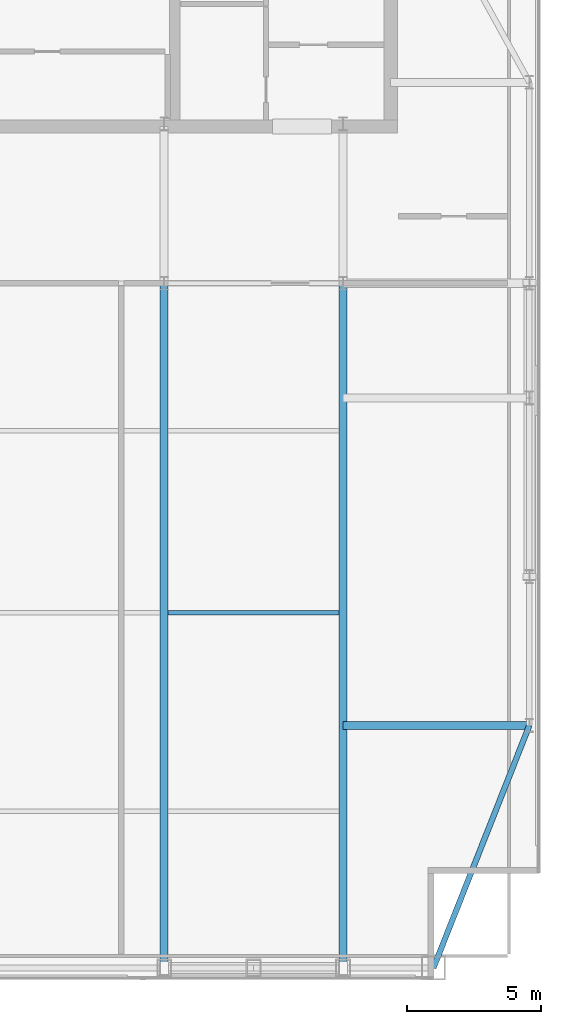
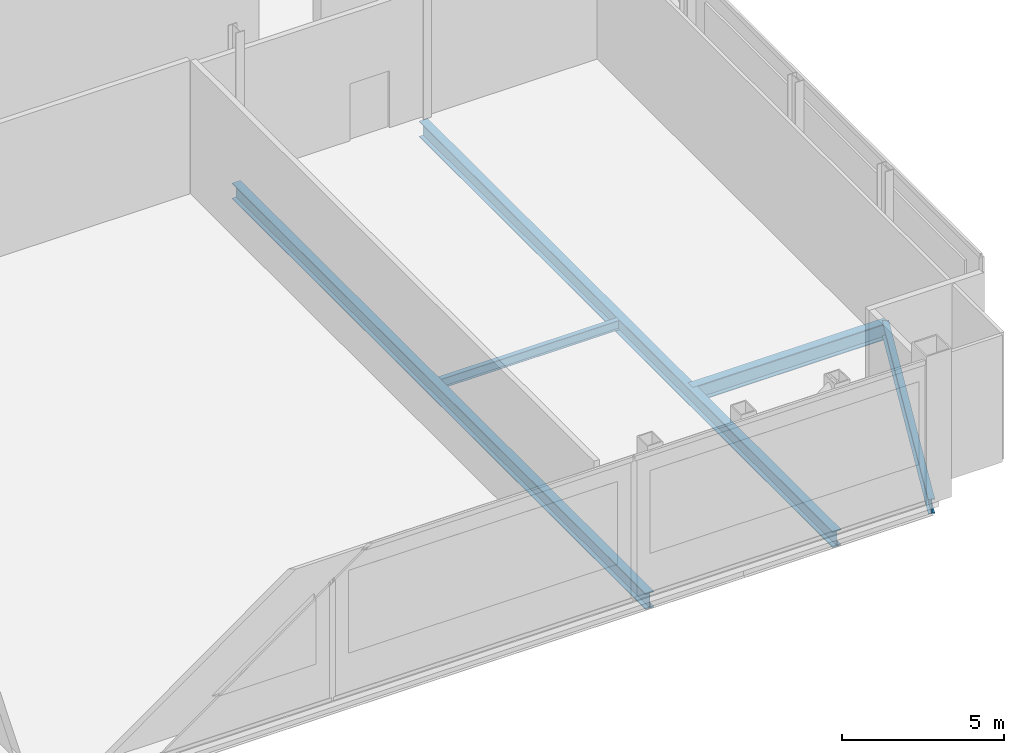
# One storey, part 11 of 22: 5 beams.
"""IFC4 building model written with IfcOpenShell, lengths in metres."""

from ifc_helpers import new_model, si_unit, direction, frame, origin, origin_2d, place, context, subcontext, project, spatial, i_section, extrude, material, material_profile, profile_set, type_object, element, save


model = new_model("IFC4")

# Units and contexts
model_context = context("Model", 3, precision=1e-05, world=origin(), true_north=direction((0.0, 1.0)))
body_context = subcontext(model_context, "Body", "Model", "MODEL_VIEW")
ifc_project = project(units=[si_unit("LENGTHUNIT", "METRE"), si_unit("AREAUNIT", "SQUARE_METRE"), si_unit("VOLUMEUNIT", "CUBIC_METRE"), si_unit("PLANEANGLEUNIT", "RADIAN"), si_unit("MASSUNIT", "GRAM", prefix="KILO")], contexts=[model_context])

# Site, building, storey
site_placement = place(None, origin())
site = spatial("IfcSite", under=ifc_project, at=site_placement, CompositionType="ELEMENT")
building_placement = place(site_placement, origin())
building = spatial("IfcBuilding", under=site, at=building_placement, Name="Khoronbel Lancet Exchange", CompositionType="ELEMENT")
storey_placement = place(building_placement, frame((0.0, 0.0, 367.39990234375)))
storey = spatial("IfcBuildingStorey", under=building, at=storey_placement, Name="L94", CompositionType="ELEMENT", Elevation=367.39990234375)

# Beams
ifc_material = material(Name="Steel S355", Category="steel")
ifc_material_profile_1 = material_profile(ifc_material, i_section(OverallWidth=0.300048828125, OverallDepth=0.60009765625, WebThickness=0.015380859375, FlangeThickness=0.030029296875, at=origin_2d()), Name="HEB 600")
ifc_profile_set_1 = profile_set([ifc_material_profile_1], Name="Steel S355")
beam_type_1 = type_object("IfcBeamType", Name="BM-BG5", PredefinedType="BEAM", material=ifc_profile_set_1)
for number, where, z_axis, x_axis, name in (
    (1, (48.0, 10.14990234375, -0.5), (0.0, 1.0, 0.0), (-1.0, 0.0, 0.0), "Level L94 south primary girder GS5"),
    (2, (54.675048828125, 10.14990234375, -0.5), (0.0, 1.0, 0.0), (-1.0, 0.0, 0.0), "Level L94 south primary girder GS6"),
):
    element("IfcBeam", number, at=place(storey_placement, frame(where, z_axis=z_axis, x_axis=x_axis)), inside=storey, type_object=beam_type_1, Name=name, PredefinedType="BEAM", context=body_context, shape_type="SweptSolid", body=[
        extrude(i_section(OverallWidth=0.300048828125, OverallDepth=0.60009765625, WebThickness=0.015380859375, FlangeThickness=0.030029296875, at=origin_2d()), origin(), (0.0, 0.0, 1.0), 25.550048828125),
    ])
beam_1_placement = place(storey_placement, frame((54.675048828125, 19.199951171875, -0.5), z_axis=(1.0, 0.0, 0.0), x_axis=(0.0, 1.0, 0.0)))
element("IfcBeam", 3, at=beam_1_placement, inside=storey, type_object=beam_type_1, Name="Level L94 east lens tie girder LG1E", PredefinedType="BEAM", context=body_context, shape_type="SweptSolid", body=[
    extrude(i_section(OverallWidth=0.300048828125, OverallDepth=0.60009765625, WebThickness=0.015380859375, FlangeThickness=0.030029296875, at=origin_2d()), origin(), (0.0, 0.0, 1.0), 6.954833984375),
])
ifc_material_profile_2 = material_profile(ifc_material, i_section(OverallWidth=0.169921875, OverallDepth=0.360107421875, WebThickness=0.008056640625, FlangeThickness=0.0126953125, at=origin_2d()), Name="IPE 360")
ifc_profile_set_2 = profile_set([ifc_material_profile_2], Name="Steel S355")
beam_type_2 = type_object("IfcBeamType", Name="BM-BJ6", PredefinedType="JOIST", material=ifc_profile_set_2)
beam_2_placement = place(storey_placement, frame((48.14990234375, 23.39990234375, -0.3798828125), z_axis=(1.0, 0.0, 0.0), x_axis=(0.0, 1.0, 0.0)))
element("IfcBeam", 4, at=beam_2_placement, inside=storey, type_object=beam_type_2, Name="Level L94 secondary composite joist J06", PredefinedType="JOIST", context=body_context, shape_type="SweptSolid", body=[
    extrude(i_section(OverallWidth=0.169921875, OverallDepth=0.360107421875, WebThickness=0.008056640625, FlangeThickness=0.0126953125, at=origin_2d()), origin(), (0.0, 0.0, 1.0), 6.375),
])
ifc_material_profile_3 = material_profile(ifc_material, i_section(OverallWidth=0.2099609375, OverallDepth=0.550048828125, WebThickness=0.010986328125, FlangeThickness=0.01708984375, at=origin_2d()), Name="IPE 550")
ifc_profile_set_3 = profile_set([ifc_material_profile_3], Name="Steel S355")
beam_type_3 = type_object("IfcBeamType", Name="BM-BSP3", PredefinedType="SPANDREL", material=ifc_profile_set_3)
beam_3_placement = place(storey_placement, frame((58.050048828125, 10.14990234375, -0.474853515625), z_axis=(0.367828403855, 0.929893684954, 0.0), x_axis=(-0.929893684954, 0.367828403855, 0.0)))
element("IfcBeam", 5, at=beam_3_placement, inside=storey, type_object=beam_type_3, Name="Level L94 perimeter spandrel beam SP08", PredefinedType="SPANDREL", context=body_context, shape_type="SweptSolid", body=[
    extrude(i_section(OverallWidth=0.2099609375, OverallDepth=0.550048828125, WebThickness=0.010986328125, FlangeThickness=0.01708984375, at=origin_2d()), origin(), (0.0, 0.0, 1.0), 9.732421875),
])

save(model, "model.ifc")
